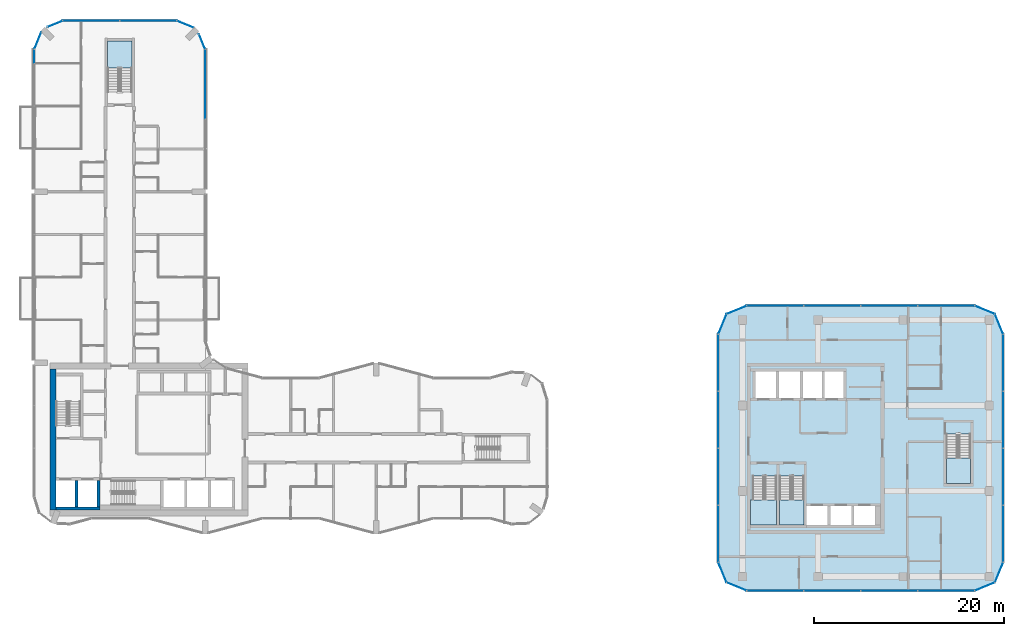
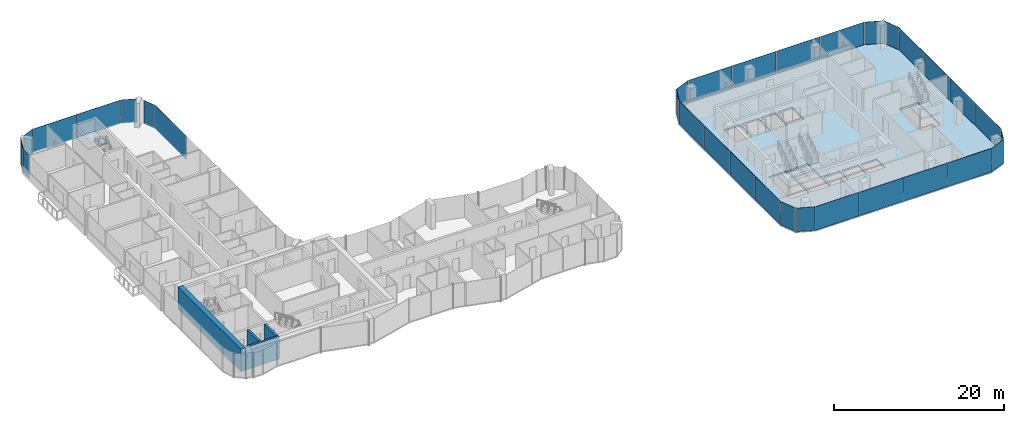
# One storey, part 12 of 22: 32 plates, 5 slabs, 4 walls, 23 elements without a shape of their own.
"""IFC4 building model written with IfcOpenShell, lengths in metres."""

from ifc_helpers import new_model, si_unit, direction, frame, frame_2d, origin, origin_2d, place, context, subcontext, project, spatial, polyline, rectangle, outline, extrude, material, layer, layer_set, type_object, element, aggregate, save


model = new_model("IFC4")

# Units and contexts
model_context = context("Model", 3, precision=1e-05, world=origin(), true_north=direction((0.0, 1.0)))
body_context = subcontext(model_context, "Body", "Model", "MODEL_VIEW")
ifc_project = project(units=[si_unit("LENGTHUNIT", "METRE"), si_unit("AREAUNIT", "SQUARE_METRE"), si_unit("VOLUMEUNIT", "CUBIC_METRE"), si_unit("PLANEANGLEUNIT", "RADIAN"), si_unit("MASSUNIT", "GRAM", prefix="KILO")], contexts=[model_context])

# Site, building, storey
site_placement = place(None, origin())
site = spatial("IfcSite", under=ifc_project, at=site_placement, CompositionType="ELEMENT")
building_placement = place(site_placement, origin())
building = spatial("IfcBuilding", under=site, at=building_placement, Name="Plateau Cross Towers", CompositionType="ELEMENT")
storey_placement = place(building_placement, frame((0.0, 0.0, 109.800048828125)))
storey = spatial("IfcBuildingStorey", under=building, at=storey_placement, Name="L28", CompositionType="ELEMENT", Elevation=109.800048828125)

# Curtain wall, plates
ifc_material_1 = material(Name="Dark low-iron glass", Category="glass")
ifc_layer_1 = layer(ifc_material_1, 0.239990234375)
ifc_layer_set_1 = layer_set([ifc_layer_1], Name="Dark low-iron glass")
curtain_wall_type_1 = type_object("IfcCurtainWallType", Name="Curtain wall office unitised CW-F", PredefinedType="NOTDEFINED", material=ifc_layer_set_1)
curtain_wall_1_placement = place(storey_placement, origin())
curtain_wall_1 = element("IfcCurtainWall", 1, at=curtain_wall_1_placement, inside=storey, type_object=curtain_wall_type_1, Name="ENV/B/L28/B750_-60", PredefinedType="NOTDEFINED")
ifc_layer_2 = layer(ifc_material_1, 0.028076171875)
ifc_layer_set_2 = layer_set([ifc_layer_2], Name="Dark low-iron glass")
plate_type_1 = type_object("IfcPlateType", Name="Glass panel 28 office unitised", PredefinedType="CURTAIN_PANEL", material=ifc_layer_set_2)
plate_1_placement = place(storey_placement, frame((78.0, -6.0, -0.1298828125), z_axis=(0.0, 0.0, 1.0), x_axis=(1.0, 0.0, 0.0)))
plate_1 = element("IfcPlate", 2, at=plate_1_placement, type_object=plate_type_1, Name="CW-F panel 1", PredefinedType="CURTAIN_PANEL", context=body_context, shape_type="SweptSolid", body=[
    extrude(rectangle(XDim=5.93994140625, YDim=0.028076171875, at=origin_2d()), origin(), (0.0, 0.0, 1.0), 3.3798828125),
])
plate_2_placement = place(storey_placement, frame((84.0, -6.0, -0.1298828125), z_axis=(0.0, 0.0, 1.0), x_axis=(1.0, 0.0, 0.0)))
plate_2 = element("IfcPlate", 3, at=plate_2_placement, type_object=plate_type_1, Name="CW-F panel 2", PredefinedType="CURTAIN_PANEL", context=body_context, shape_type="SweptSolid", body=[
    extrude(rectangle(XDim=5.93994140625, YDim=0.028076171875, at=origin_2d()), origin(), (0.0, 0.0, 1.0), 3.3798828125),
])
plate_3_placement = place(storey_placement, frame((90.0, -6.0, -0.1298828125), z_axis=(0.0, 0.0, 1.0), x_axis=(1.0, 0.0, 0.0)))
plate_3 = element("IfcPlate", 4, at=plate_3_placement, type_object=plate_type_1, Name="CW-F panel 3", PredefinedType="CURTAIN_PANEL", context=body_context, shape_type="SweptSolid", body=[
    extrude(rectangle(XDim=5.93994140625, YDim=0.028076171875, at=origin_2d()), origin(), (0.0, 0.0, 1.0), 3.3798828125),
])
plate_4_placement = place(storey_placement, frame((96.0, -6.0, -0.1298828125), z_axis=(0.0, 0.0, 1.0), x_axis=(1.0, 0.0, 0.0)))
plate_4 = element("IfcPlate", 5, at=plate_4_placement, type_object=plate_type_1, Name="CW-F panel 4", PredefinedType="CURTAIN_PANEL", context=body_context, shape_type="SweptSolid", body=[
    extrude(rectangle(XDim=5.93994140625, YDim=0.028076171875, at=origin_2d()), origin(), (0.0, 0.0, 1.0), 3.3798828125),
])
aggregate(curtain_wall_1, [plate_1, plate_2, plate_3, plate_4])

# Curtain wall, plate
curtain_wall_2_placement = place(storey_placement, origin())
curtain_wall_2 = element("IfcCurtainWall", 6, at=curtain_wall_2_placement, inside=storey, type_object=curtain_wall_type_1, Name="ENV/B/L28/B990_-60", PredefinedType="NOTDEFINED")
plate_5_placement = place(storey_placement, frame((100.060546875, -5.560546875, -0.1298828125), z_axis=(0.0, 0.0, 1.0), x_axis=(0.923879457699, 0.382683612978, 0.0)))
plate_5 = element("IfcPlate", 7, at=plate_5_placement, type_object=plate_type_1, Name="CW-F panel 1", PredefinedType="CURTAIN_PANEL", context=body_context, shape_type="SweptSolid", body=[
    extrude(rectangle(XDim=2.236083984375, YDim=0.028076171875, at=origin_2d()), origin(), (0.0, 0.0, 1.0), 3.3798828125),
])
aggregate(curtain_wall_2, [plate_5])

curtain_wall_3_placement = place(storey_placement, origin())
curtain_wall_3 = element("IfcCurtainWall", 8, at=curtain_wall_3_placement, inside=storey, type_object=curtain_wall_type_1, Name="ENV/B/L28/B1011_-51", PredefinedType="NOTDEFINED")
plate_6_placement = place(storey_placement, frame((101.560546875, -4.060546875, -0.1298828125), z_axis=(0.0, 0.0, 1.0), x_axis=(0.382683612978, 0.923879457699, 0.0)))
plate_6 = element("IfcPlate", 9, at=plate_6_placement, type_object=plate_type_1, Name="CW-F panel 1", PredefinedType="CURTAIN_PANEL", context=body_context, shape_type="SweptSolid", body=[
    extrude(rectangle(XDim=2.236083984375, YDim=0.028076171875, at=origin_2d()), origin(), (0.0, 0.0, 1.0), 3.3798828125),
])
aggregate(curtain_wall_3, [plate_6])

# Curtain wall, plates
curtain_wall_4_placement = place(storey_placement, origin())
curtain_wall_4 = element("IfcCurtainWall", 10, at=curtain_wall_4_placement, inside=storey, type_object=curtain_wall_type_1, Name="ENV/B/L28/B1020_-30", PredefinedType="NOTDEFINED")
plate_7_placement = place(storey_placement, frame((102.0, 0.0, -0.1298828125), z_axis=(0.0, 0.0, 1.0), x_axis=(0.0, 1.0, 0.0)))
plate_7 = element("IfcPlate", 11, at=plate_7_placement, type_object=plate_type_1, Name="CW-F panel 1", PredefinedType="CURTAIN_PANEL", context=body_context, shape_type="SweptSolid", body=[
    extrude(rectangle(XDim=5.93994140625, YDim=0.028076171875, at=origin_2d()), origin(), (0.0, 0.0, 1.0), 3.3798828125),
])
plate_8_placement = place(storey_placement, frame((102.0, 6.0, -0.1298828125), z_axis=(0.0, 0.0, 1.0), x_axis=(0.0, 1.0, 0.0)))
plate_8 = element("IfcPlate", 12, at=plate_8_placement, type_object=plate_type_1, Name="CW-F panel 2", PredefinedType="CURTAIN_PANEL", context=body_context, shape_type="SweptSolid", body=[
    extrude(rectangle(XDim=5.93994140625, YDim=0.028076171875, at=origin_2d()), origin(), (0.0, 0.0, 1.0), 3.3798828125),
])
plate_9_placement = place(storey_placement, frame((102.0, 12.0, -0.1298828125), z_axis=(0.0, 0.0, 1.0), x_axis=(0.0, 1.0, 0.0)))
plate_9 = element("IfcPlate", 13, at=plate_9_placement, type_object=plate_type_1, Name="CW-F panel 3", PredefinedType="CURTAIN_PANEL", context=body_context, shape_type="SweptSolid", body=[
    extrude(rectangle(XDim=5.93994140625, YDim=0.028076171875, at=origin_2d()), origin(), (0.0, 0.0, 1.0), 3.3798828125),
])
plate_10_placement = place(storey_placement, frame((102.0, 18.0, -0.1298828125), z_axis=(0.0, 0.0, 1.0), x_axis=(0.0, 1.0, 0.0)))
plate_10 = element("IfcPlate", 14, at=plate_10_placement, type_object=plate_type_1, Name="CW-F panel 4", PredefinedType="CURTAIN_PANEL", context=body_context, shape_type="SweptSolid", body=[
    extrude(rectangle(XDim=5.93994140625, YDim=0.028076171875, at=origin_2d()), origin(), (0.0, 0.0, 1.0), 3.3798828125),
])
aggregate(curtain_wall_4, [plate_7, plate_8, plate_9, plate_10])

# Curtain wall, plate
curtain_wall_5_placement = place(storey_placement, origin())
curtain_wall_5 = element("IfcCurtainWall", 15, at=curtain_wall_5_placement, inside=storey, type_object=curtain_wall_type_1, Name="ENV/B/L28/B1020_210", PredefinedType="NOTDEFINED")
plate_11_placement = place(storey_placement, frame((101.560546875, 22.060546875, -0.1298828125), z_axis=(0.0, 0.0, 1.0), x_axis=(-0.382683612978, 0.923879457699, 0.0)))
plate_11 = element("IfcPlate", 16, at=plate_11_placement, type_object=plate_type_1, Name="CW-F panel 1", PredefinedType="CURTAIN_PANEL", context=body_context, shape_type="SweptSolid", body=[
    extrude(rectangle(XDim=2.236083984375, YDim=0.028076171875, at=origin_2d()), origin(), (0.0, 0.0, 1.0), 3.3798828125),
])
aggregate(curtain_wall_5, [plate_11])

curtain_wall_6_placement = place(storey_placement, origin())
curtain_wall_6 = element("IfcCurtainWall", 17, at=curtain_wall_6_placement, inside=storey, type_object=curtain_wall_type_1, Name="ENV/B/L28/B1011_231", PredefinedType="NOTDEFINED")
plate_12_placement = place(storey_placement, frame((100.060546875, 23.560546875, -0.1298828125), z_axis=(0.0, 0.0, 1.0), x_axis=(-0.923879457699, 0.382683612978, 0.0)))
plate_12 = element("IfcPlate", 18, at=plate_12_placement, type_object=plate_type_1, Name="CW-F panel 1", PredefinedType="CURTAIN_PANEL", context=body_context, shape_type="SweptSolid", body=[
    extrude(rectangle(XDim=2.236083984375, YDim=0.028076171875, at=origin_2d()), origin(), (0.0, 0.0, 1.0), 3.3798828125),
])
aggregate(curtain_wall_6, [plate_12])

# Curtain wall, plates
curtain_wall_7_placement = place(storey_placement, origin())
curtain_wall_7 = element("IfcCurtainWall", 19, at=curtain_wall_7_placement, inside=storey, type_object=curtain_wall_type_1, Name="ENV/B/L28/B990_240", PredefinedType="NOTDEFINED")
plate_13_placement = place(storey_placement, frame((96.0, 24.0, -0.1298828125), z_axis=(0.0, 0.0, 1.0), x_axis=(-1.0, 0.0, 0.0)))
plate_13 = element("IfcPlate", 20, at=plate_13_placement, type_object=plate_type_1, Name="CW-F panel 1", PredefinedType="CURTAIN_PANEL", context=body_context, shape_type="SweptSolid", body=[
    extrude(rectangle(XDim=5.93994140625, YDim=0.028076171875, at=origin_2d()), origin(), (0.0, 0.0, 1.0), 3.3798828125),
])
plate_14_placement = place(storey_placement, frame((90.0, 24.0, -0.1298828125), z_axis=(0.0, 0.0, 1.0), x_axis=(-1.0, 0.0, 0.0)))
plate_14 = element("IfcPlate", 21, at=plate_14_placement, type_object=plate_type_1, Name="CW-F panel 2", PredefinedType="CURTAIN_PANEL", context=body_context, shape_type="SweptSolid", body=[
    extrude(rectangle(XDim=5.93994140625, YDim=0.028076171875, at=origin_2d()), origin(), (0.0, 0.0, 1.0), 3.3798828125),
])
plate_15_placement = place(storey_placement, frame((84.0, 24.0, -0.1298828125), z_axis=(0.0, 0.0, 1.0), x_axis=(-1.0, 0.0, 0.0)))
plate_15 = element("IfcPlate", 22, at=plate_15_placement, type_object=plate_type_1, Name="CW-F panel 3", PredefinedType="CURTAIN_PANEL", context=body_context, shape_type="SweptSolid", body=[
    extrude(rectangle(XDim=5.93994140625, YDim=0.028076171875, at=origin_2d()), origin(), (0.0, 0.0, 1.0), 3.3798828125),
])
plate_16_placement = place(storey_placement, frame((78.0, 24.0, -0.1298828125), z_axis=(0.0, 0.0, 1.0), x_axis=(-1.0, 0.0, 0.0)))
plate_16 = element("IfcPlate", 23, at=plate_16_placement, type_object=plate_type_1, Name="CW-F panel 4", PredefinedType="CURTAIN_PANEL", context=body_context, shape_type="SweptSolid", body=[
    extrude(rectangle(XDim=5.93994140625, YDim=0.028076171875, at=origin_2d()), origin(), (0.0, 0.0, 1.0), 3.3798828125),
])
aggregate(curtain_wall_7, [plate_13, plate_14, plate_15, plate_16])

# Curtain wall, plate
curtain_wall_8_placement = place(storey_placement, origin())
curtain_wall_8 = element("IfcCurtainWall", 24, at=curtain_wall_8_placement, inside=storey, type_object=curtain_wall_type_1, Name="ENV/B/L28/B750_240", PredefinedType="NOTDEFINED")
plate_17_placement = place(storey_placement, frame((73.939453125, 23.560546875, -0.1298828125), z_axis=(0.0, 0.0, 1.0), x_axis=(-0.923879457699, -0.382683612978, 0.0)))
plate_17 = element("IfcPlate", 25, at=plate_17_placement, type_object=plate_type_1, Name="CW-F panel 1", PredefinedType="CURTAIN_PANEL", context=body_context, shape_type="SweptSolid", body=[
    extrude(rectangle(XDim=2.236083984375, YDim=0.028076171875, at=origin_2d()), origin(), (0.0, 0.0, 1.0), 3.3798828125),
])
aggregate(curtain_wall_8, [plate_17])

curtain_wall_9_placement = place(storey_placement, origin())
curtain_wall_9 = element("IfcCurtainWall", 26, at=curtain_wall_9_placement, inside=storey, type_object=curtain_wall_type_1, Name="ENV/B/L28/B729_231", PredefinedType="NOTDEFINED")
plate_18_placement = place(storey_placement, frame((72.439453125, 22.060546875, -0.1298828125), z_axis=(0.0, 0.0, 1.0), x_axis=(-0.382683612978, -0.923879457699, 0.0)))
plate_18 = element("IfcPlate", 27, at=plate_18_placement, type_object=plate_type_1, Name="CW-F panel 1", PredefinedType="CURTAIN_PANEL", context=body_context, shape_type="SweptSolid", body=[
    extrude(rectangle(XDim=2.236083984375, YDim=0.028076171875, at=origin_2d()), origin(), (0.0, 0.0, 1.0), 3.3798828125),
])
aggregate(curtain_wall_9, [plate_18])

# Curtain wall, plates
curtain_wall_10_placement = place(storey_placement, origin())
curtain_wall_10 = element("IfcCurtainWall", 28, at=curtain_wall_10_placement, inside=storey, type_object=curtain_wall_type_1, Name="ENV/B/L28/B720_210", PredefinedType="NOTDEFINED")
plate_19_placement = place(storey_placement, frame((72.0, 18.0, -0.1298828125), z_axis=(0.0, 0.0, 1.0), x_axis=(0.0, -1.0, 0.0)))
plate_19 = element("IfcPlate", 29, at=plate_19_placement, type_object=plate_type_1, Name="CW-F panel 1", PredefinedType="CURTAIN_PANEL", context=body_context, shape_type="SweptSolid", body=[
    extrude(rectangle(XDim=5.93994140625, YDim=0.028076171875, at=origin_2d()), origin(), (0.0, 0.0, 1.0), 3.3798828125),
])
plate_20_placement = place(storey_placement, frame((72.0, 12.0, -0.1298828125), z_axis=(0.0, 0.0, 1.0), x_axis=(0.0, -1.0, 0.0)))
plate_20 = element("IfcPlate", 30, at=plate_20_placement, type_object=plate_type_1, Name="CW-F panel 2", PredefinedType="CURTAIN_PANEL", context=body_context, shape_type="SweptSolid", body=[
    extrude(rectangle(XDim=5.93994140625, YDim=0.028076171875, at=origin_2d()), origin(), (0.0, 0.0, 1.0), 3.3798828125),
])
plate_21_placement = place(storey_placement, frame((72.0, 6.0, -0.1298828125), z_axis=(0.0, 0.0, 1.0), x_axis=(0.0, -1.0, 0.0)))
plate_21 = element("IfcPlate", 31, at=plate_21_placement, type_object=plate_type_1, Name="CW-F panel 3", PredefinedType="CURTAIN_PANEL", context=body_context, shape_type="SweptSolid", body=[
    extrude(rectangle(XDim=5.93994140625, YDim=0.028076171875, at=origin_2d()), origin(), (0.0, 0.0, 1.0), 3.3798828125),
])
plate_22_placement = place(storey_placement, frame((72.0, 0.0, -0.1298828125), z_axis=(0.0, 0.0, 1.0), x_axis=(0.0, -1.0, 0.0)))
plate_22 = element("IfcPlate", 32, at=plate_22_placement, type_object=plate_type_1, Name="CW-F panel 4", PredefinedType="CURTAIN_PANEL", context=body_context, shape_type="SweptSolid", body=[
    extrude(rectangle(XDim=5.93994140625, YDim=0.028076171875, at=origin_2d()), origin(), (0.0, 0.0, 1.0), 3.3798828125),
])
aggregate(curtain_wall_10, [plate_19, plate_20, plate_21, plate_22])

# Curtain wall, plate
curtain_wall_11_placement = place(storey_placement, origin())
curtain_wall_11 = element("IfcCurtainWall", 33, at=curtain_wall_11_placement, inside=storey, type_object=curtain_wall_type_1, Name="ENV/B/L28/B720_-30", PredefinedType="NOTDEFINED")
plate_23_placement = place(storey_placement, frame((72.439453125, -4.060546875, -0.1298828125), z_axis=(0.0, 0.0, 1.0), x_axis=(0.382683612978, -0.923879457699, 0.0)))
plate_23 = element("IfcPlate", 34, at=plate_23_placement, type_object=plate_type_1, Name="CW-F panel 1", PredefinedType="CURTAIN_PANEL", context=body_context, shape_type="SweptSolid", body=[
    extrude(rectangle(XDim=2.236083984375, YDim=0.028076171875, at=origin_2d()), origin(), (0.0, 0.0, 1.0), 3.3798828125),
])
aggregate(curtain_wall_11, [plate_23])

curtain_wall_12_placement = place(storey_placement, origin())
curtain_wall_12 = element("IfcCurtainWall", 35, at=curtain_wall_12_placement, inside=storey, type_object=curtain_wall_type_1, Name="ENV/B/L28/B729_-51", PredefinedType="NOTDEFINED")
plate_24_placement = place(storey_placement, frame((73.939453125, -5.560546875, -0.1298828125), z_axis=(0.0, 0.0, 1.0), x_axis=(0.923879457699, -0.382683612978, 0.0)))
plate_24 = element("IfcPlate", 36, at=plate_24_placement, type_object=plate_type_1, Name="CW-F panel 1", PredefinedType="CURTAIN_PANEL", context=body_context, shape_type="SweptSolid", body=[
    extrude(rectangle(XDim=2.236083984375, YDim=0.028076171875, at=origin_2d()), origin(), (0.0, 0.0, 1.0), 3.3798828125),
])
aggregate(curtain_wall_12, [plate_24])

ifc_layer_3 = layer(ifc_material_1, 0.239990234375)
ifc_layer_set_3 = layer_set([ifc_layer_3], Name="Dark low-iron glass")
curtain_wall_type_2 = type_object("IfcCurtainWallType", Name="Curtain wall flush unitised CW-B", PredefinedType="NOTDEFINED", material=ifc_layer_set_3)
curtain_wall_13_placement = place(storey_placement, origin())
curtain_wall_13 = element("IfcCurtainWall", 37, at=curtain_wall_13_placement, inside=storey, type_object=curtain_wall_type_2, Name="ENV/A/L28/A180_363", PredefinedType="NOTDEFINED")
ifc_layer_4 = layer(ifc_material_1, 0.031982421875)
ifc_layer_set_4 = layer_set([ifc_layer_4], Name="Dark low-iron glass")
plate_type_2 = type_object("IfcPlateType", Name="Glass panel 32 flush unitised", PredefinedType="CURTAIN_PANEL", material=ifc_layer_set_4)
plate_25_placement = place(storey_placement, frame((18.0, 47.324951171875, -0.1298828125), z_axis=(0.0, 0.0, 1.0), x_axis=(0.0, 1.0, 0.0)))
plate_25 = element("IfcPlate", 38, at=plate_25_placement, type_object=plate_type_2, Name="CW-B panel 2", PredefinedType="CURTAIN_PANEL", context=body_context, shape_type="SweptSolid", body=[
    extrude(rectangle(XDim=7.2900390625, YDim=0.031982421875, at=origin_2d()), origin(), (0.0, 0.0, 1.0), 3.3798828125),
])
aggregate(curtain_wall_13, [plate_25])

curtain_wall_14_placement = place(storey_placement, origin())
curtain_wall_14 = element("IfcCurtainWall", 39, at=curtain_wall_14_placement, inside=storey, type_object=curtain_wall_type_2, Name="ENV/A/L28/A180_510", PredefinedType="NOTDEFINED")
plate_26_placement = place(storey_placement, frame((17.66943359375, 51.79833984375, -0.1298828125), z_axis=(0.0, 0.0, 1.0), x_axis=(-0.382683612978, 0.923879457699, 0.0)))
plate_26 = element("IfcPlate", 40, at=plate_26_placement, type_object=plate_type_2, Name="CW-B panel 1", PredefinedType="CURTAIN_PANEL", context=body_context, shape_type="SweptSolid", body=[
    extrude(rectangle(XDim=1.668212890625, YDim=0.031982421875, at=origin_2d()), origin(), (0.0, 0.0, 1.0), 3.3798828125),
])
aggregate(curtain_wall_14, [plate_26])

curtain_wall_15_placement = place(storey_placement, origin())
curtain_wall_15 = element("IfcCurtainWall", 41, at=curtain_wall_15_placement, inside=storey, type_object=curtain_wall_type_2, Name="ENV/A/L28/A168_533", PredefinedType="NOTDEFINED")
plate_27_placement = place(storey_placement, frame((15.90283203125, 53.6259765625, -0.1298828125), z_axis=(0.0, 0.0, 1.0), x_axis=(-0.923879457699, 0.382683612978, 0.0)))
plate_27 = element("IfcPlate", 42, at=plate_27_placement, type_object=plate_type_2, Name="CW-B panel 1", PredefinedType="CURTAIN_PANEL", context=body_context, shape_type="SweptSolid", body=[
    extrude(rectangle(XDim=1.894775390625, YDim=0.031982421875, at=origin_2d()), origin(), (0.0, 0.0, 1.0), 3.3798828125),
])
aggregate(curtain_wall_15, [plate_27])

# Curtain wall, plates
curtain_wall_16_placement = place(storey_placement, origin())
curtain_wall_16 = element("IfcCurtainWall", 43, at=curtain_wall_16_placement, inside=storey, type_object=curtain_wall_type_2, Name="ENV/A/L28/A150_540", PredefinedType="NOTDEFINED")
plate_28_placement = place(storey_placement, frame((12.0, 54.0, -0.1298828125), z_axis=(0.0, 0.0, 1.0), x_axis=(-1.0, 0.0, 0.0)))
plate_28 = element("IfcPlate", 44, at=plate_28_placement, type_object=plate_type_2, Name="CW-B panel 1", PredefinedType="CURTAIN_PANEL", context=body_context, shape_type="SweptSolid", body=[
    extrude(rectangle(XDim=5.93994140625, YDim=0.031982421875, at=origin_2d()), origin(), (0.0, 0.0, 1.0), 3.3798828125),
])
plate_29_placement = place(storey_placement, frame((6.0, 54.0, -0.1298828125), z_axis=(0.0, 0.0, 1.0), x_axis=(-1.0, 0.0, 0.0)))
plate_29 = element("IfcPlate", 45, at=plate_29_placement, type_object=plate_type_2, Name="CW-B panel 2", PredefinedType="CURTAIN_PANEL", context=body_context, shape_type="SweptSolid", body=[
    extrude(rectangle(XDim=5.93994140625, YDim=0.031982421875, at=origin_2d()), origin(), (0.0, 0.0, 1.0), 3.3798828125),
])
aggregate(curtain_wall_16, [plate_28, plate_29])

# Curtain wall, plate
curtain_wall_17_placement = place(storey_placement, origin())
curtain_wall_17 = element("IfcCurtainWall", 46, at=curtain_wall_17_placement, inside=storey, type_object=curtain_wall_type_2, Name="ENV/A/L28/A30_540", PredefinedType="NOTDEFINED")
plate_30_placement = place(storey_placement, frame((2.20166015625, 53.66943359375, -0.1298828125), z_axis=(0.0, 0.0, 1.0), x_axis=(-0.923879457699, -0.382683612978, 0.0)))
plate_30 = element("IfcPlate", 47, at=plate_30_placement, type_object=plate_type_2, Name="CW-B panel 1", PredefinedType="CURTAIN_PANEL", context=body_context, shape_type="SweptSolid", body=[
    extrude(rectangle(XDim=1.668212890625, YDim=0.031982421875, at=origin_2d()), origin(), (0.0, 0.0, 1.0), 3.3798828125),
])
aggregate(curtain_wall_17, [plate_30])

curtain_wall_18_placement = place(storey_placement, origin())
curtain_wall_18 = element("IfcCurtainWall", 48, at=curtain_wall_18_placement, inside=storey, type_object=curtain_wall_type_2, Name="ENV/A/L28/A7_528", PredefinedType="NOTDEFINED")
plate_31_placement = place(storey_placement, frame((0.3740234375, 51.90283203125, -0.1298828125), z_axis=(0.0, 0.0, 1.0), x_axis=(-0.382683612978, -0.923879457699, 0.0)))
plate_31 = element("IfcPlate", 49, at=plate_31_placement, type_object=plate_type_2, Name="CW-B panel 1", PredefinedType="CURTAIN_PANEL", context=body_context, shape_type="SweptSolid", body=[
    extrude(rectangle(XDim=1.894775390625, YDim=0.031982421875, at=origin_2d()), origin(), (0.0, 0.0, 1.0), 3.3798828125),
])
aggregate(curtain_wall_18, [plate_31])

curtain_wall_19_placement = place(storey_placement, origin())
curtain_wall_19 = element("IfcCurtainWall", 50, at=curtain_wall_19_placement, inside=storey, type_object=curtain_wall_type_2, Name="ENV/A/L28/A0_510", PredefinedType="NOTDEFINED")
plate_32_placement = place(storey_placement, frame((0.0, 50.25, -0.1298828125), z_axis=(0.0, 0.0, 1.0), x_axis=(0.0, -1.0, 0.0)))
plate_32 = element("IfcPlate", 51, at=plate_32_placement, type_object=plate_type_2, Name="CW-B panel 1", PredefinedType="CURTAIN_PANEL", context=body_context, shape_type="SweptSolid", body=[
    extrude(rectangle(XDim=1.43994140625, YDim=0.031982421875, at=origin_2d()), origin(), (0.0, 0.0, 1.0), 3.3798828125),
])
aggregate(curtain_wall_19, [plate_32])

# Slab
ifc_material_2 = material(Name="Concrete C40/50", Category="concrete")
ifc_layer_5 = layer(ifc_material_2, 0.25)
ifc_layer_set_5 = layer_set([ifc_layer_5], Name="Concrete C40/50")
slab_type_1 = type_object("IfcSlabType", Name="Post-tensioned flat plate slab 250", PredefinedType="FLOOR", material=ifc_layer_set_5)
slab_1_placement = place(storey_placement, frame((0.0, 0.0, -0.25)))
element("IfcSlab", 52, at=slab_1_placement, inside=storey, type_object=slab_type_1, Name="SL-B-L28", PredefinedType="FLOOR", context=body_context, shape_type="SweptSolid", body=[
    extrude(outline(polyline([(72.878662109375, -5.121337890625), (72.0, -3.0), (72.0, 21.0), (72.878662109375, 23.121337890625), (75.0, 24.0), (99.0, 24.0), (101.121337890625, 23.121337890625), (102.0, 21.0), (102.0, -3.0), (101.121337890625, -5.121337890625), (99.0, -6.0), (75.0, -6.0), (72.878662109375, -5.121337890625)]), holes=[polyline([(75.60009765625, 0.89990234375), (78.14990234375, 0.89990234375), (78.14990234375, 6.10009765625), (75.60009765625, 6.10009765625), (75.60009765625, 0.89990234375)]), polyline([(78.10009765625, 14.300048828125), (78.10009765625, 17.10009765625), (75.89990234375, 17.10009765625), (75.89990234375, 14.300048828125), (78.10009765625, 14.300048828125)]), polyline([(83.5, 0.89990234375), (83.5, 2.89990234375), (81.300048828125, 2.89990234375), (81.300048828125, 0.89990234375), (83.5, 0.89990234375)]), polyline([(86.0, 0.89990234375), (86.0, 2.89990234375), (83.800048828125, 2.89990234375), (83.800048828125, 0.89990234375), (86.0, 0.89990234375)]), polyline([(88.5, 0.89990234375), (88.5, 2.89990234375), (86.300048828125, 2.89990234375), (86.300048828125, 0.89990234375), (88.5, 0.89990234375)]), polyline([(78.449951171875, 0.89990234375), (81.0, 0.89990234375), (81.0, 6.10009765625), (78.449951171875, 6.10009765625), (78.449951171875, 0.89990234375)]), polyline([(96.0, 5.300048828125), (98.550048828125, 5.300048828125), (98.550048828125, 10.5), (96.0, 10.5), (96.0, 5.300048828125)]), polyline([(80.60009765625, 14.300048828125), (80.60009765625, 17.10009765625), (78.39990234375, 17.10009765625), (78.39990234375, 14.300048828125), (80.60009765625, 14.300048828125)]), polyline([(80.89990234375, 14.300048828125), (82.89990234375, 14.300048828125), (82.89990234375, 17.10009765625), (80.89990234375, 17.10009765625), (80.89990234375, 14.300048828125)]), polyline([(83.199951171875, 14.300048828125), (85.199951171875, 14.300048828125), (85.199951171875, 17.10009765625), (83.199951171875, 17.10009765625), (83.199951171875, 14.300048828125)])]), origin(), (0.0, 0.0, 1.0), 0.25),
])

# Stair, slab
stair_type = type_object("IfcStairType", Name="ST-TWR", PredefinedType="HALF_TURN_STAIR", material=ifc_material_2)
stair_1_placement = place(storey_placement, origin())
stair_1 = element("IfcStair", 53, at=stair_1_placement, inside=storey, type_object=stair_type, Name="L28 Protected Exit Stair SB-1", PredefinedType="HALF_TURN_STAIR")
ifc_layer_6 = layer(ifc_material_2, 0.199951171875)
ifc_layer_set_6 = layer_set([ifc_layer_6], Name="Concrete C40/50")
slab_type_2 = type_object("IfcSlabType", Name="SL-LANDING", PredefinedType="LANDING", material=ifc_layer_set_6)
slab_2_placement = place(storey_placement, frame((0.0, 0.0, 1.550048828125)))
slab_2 = element("IfcSlab", 54, at=slab_2_placement, type_object=slab_type_2, Name="SB-1 landing 1", PredefinedType="LANDING", context=body_context, shape_type="SweptSolid", body=[
    extrude(outline(polyline([(75.39990234375, 3.580078125), (75.39990234375, 0.89990234375), (78.14990234375, 0.89990234375), (78.14990234375, 3.580078125), (75.39990234375, 3.580078125)])), origin(), (0.0, 0.0, 1.0), 0.199951171875),
])
aggregate(stair_1, [slab_2])

stair_2_placement = place(storey_placement, origin())
stair_2 = element("IfcStair", 55, at=stair_2_placement, inside=storey, type_object=stair_type, Name="L28 Protected Exit Stair SB-2", PredefinedType="HALF_TURN_STAIR")
slab_3_placement = place(storey_placement, frame((0.0, 0.0, 1.550048828125)))
slab_3 = element("IfcSlab", 56, at=slab_3_placement, type_object=slab_type_2, Name="SB-2 landing 1", PredefinedType="LANDING", context=body_context, shape_type="SweptSolid", body=[
    extrude(outline(polyline([(78.449951171875, 3.580078125), (78.449951171875, 0.89990234375), (81.0, 0.89990234375), (81.0, 3.580078125), (78.449951171875, 3.580078125)])), origin(), (0.0, 0.0, 1.0), 0.199951171875),
])
aggregate(stair_2, [slab_3])

stair_3_placement = place(storey_placement, origin())
stair_3 = element("IfcStair", 57, at=stair_3_placement, inside=storey, type_object=stair_type, Name="L28 Protected Exit Stair SB-3", PredefinedType="HALF_TURN_STAIR")
slab_4_placement = place(storey_placement, frame((0.0, 0.0, 1.550048828125)))
slab_4 = element("IfcSlab", 58, at=slab_4_placement, type_object=slab_type_2, Name="SB-3 landing 1", PredefinedType="LANDING", context=body_context, shape_type="SweptSolid", body=[
    extrude(outline(polyline([(96.0, 7.97998046875), (96.0, 5.300048828125), (98.550048828125, 5.300048828125), (98.550048828125, 7.97998046875), (96.0, 7.97998046875)])), origin(), (0.0, 0.0, 1.0), 0.199951171875),
])
aggregate(stair_3, [slab_4])

stair_4_placement = place(storey_placement, origin())
stair_4 = element("IfcStair", 59, at=stair_4_placement, inside=storey, type_object=stair_type, Name="L28 Protected Exit Stair N", PredefinedType="HALF_TURN_STAIR")
slab_5_placement = place(storey_placement, frame((0.0, 0.0, 1.550048828125)))
slab_5 = element("IfcSlab", 60, at=slab_5_placement, type_object=slab_type_2, Name="ES-N landing 1", PredefinedType="LANDING", context=body_context, shape_type="SweptSolid", body=[
    extrude(outline(polyline([(10.27490234375, 49.02001953125), (10.27490234375, 51.85009765625), (7.72509765625, 51.85009765625), (7.72509765625, 49.02001953125), (10.27490234375, 49.02001953125)])), origin(), (0.0, 0.0, 1.0), 0.199951171875),
])
aggregate(stair_4, [slab_5])

# Walls
ifc_material_3 = material(Name="Concrete C60/75", Category="concrete")
ifc_layer_7 = layer(ifc_material_3, 0.300048828125)
ifc_layer_set_7 = layer_set([ifc_layer_7], Name="Concrete C60/75")
wall_type_1 = type_object("IfcWallType", Name="Core shaft wall 300", PredefinedType="SHEAR", material=ifc_layer_set_7)
wall_1_placement = place(storey_placement, frame((2.300048828125, 2.64990234375, 0.0), z_axis=(0.0, 0.0, 1.0), x_axis=(1.0, 0.0, 0.0)))
element("IfcWall", 61, at=wall_1_placement, inside=storey, type_object=wall_type_1, Name="A-sb-back1@L28", PredefinedType="SHEAR", context=body_context, shape_type="SweptSolid", body=[
    extrude(rectangle(XDim=4.599853515625, YDim=0.300048828125, at=frame_2d((2.2998046875, 0.0))), origin(), (0.0, 0.0, 1.0), 3.25),
])
for number, where, z_axis, x_axis, name in (
    (62, (4.449951171875, 2.800048828125, 0.0), (0.0, 0.0, 1.0), (0.0, 1.0, 0.0), "A-sb-v1@L28"),
    (63, (6.75, 2.800048828125, 0.0), (0.0, 0.0, 1.0), (0.0, 1.0, 0.0), "A-sb-v2@L28"),
):
    element("IfcWall", number, at=place(storey_placement, frame(where, z_axis=z_axis, x_axis=x_axis)), inside=storey, type_object=wall_type_1, Name=name, PredefinedType="SHEAR", context=body_context, shape_type="SweptSolid", body=[
        extrude(rectangle(XDim=2.800048828125, YDim=0.300048828125, at=frame_2d((1.39990234375, 0.0))), origin(), (0.0, 0.0, 1.0), 3.25),
    ])
ifc_layer_8 = layer(ifc_material_3, 0.64990234375)
ifc_layer_set_8 = layer_set([ifc_layer_8], Name="Concrete C60/75")
wall_type_2 = type_object("IfcWallType", Name="Core shell wall 650", PredefinedType="SHEAR", material=ifc_layer_set_8)
wall_2_placement = place(storey_placement, frame((1.97509765625, 2.5, 0.0), z_axis=(0.0, 0.0, 1.0), x_axis=(0.0, 1.0, 0.0)))
element("IfcWall", 64, at=wall_2_placement, inside=storey, type_object=wall_type_2, Name="A-core-W@L28", PredefinedType="SHEAR", context=body_context, shape_type="SweptSolid", body=[
    extrude(rectangle(XDim=14.85009765625, YDim=0.64990234375, at=frame_2d((7.425048828125, 0.0))), origin(), (0.0, 0.0, 1.0), 3.25),
])

save(model, "model.ifc")
